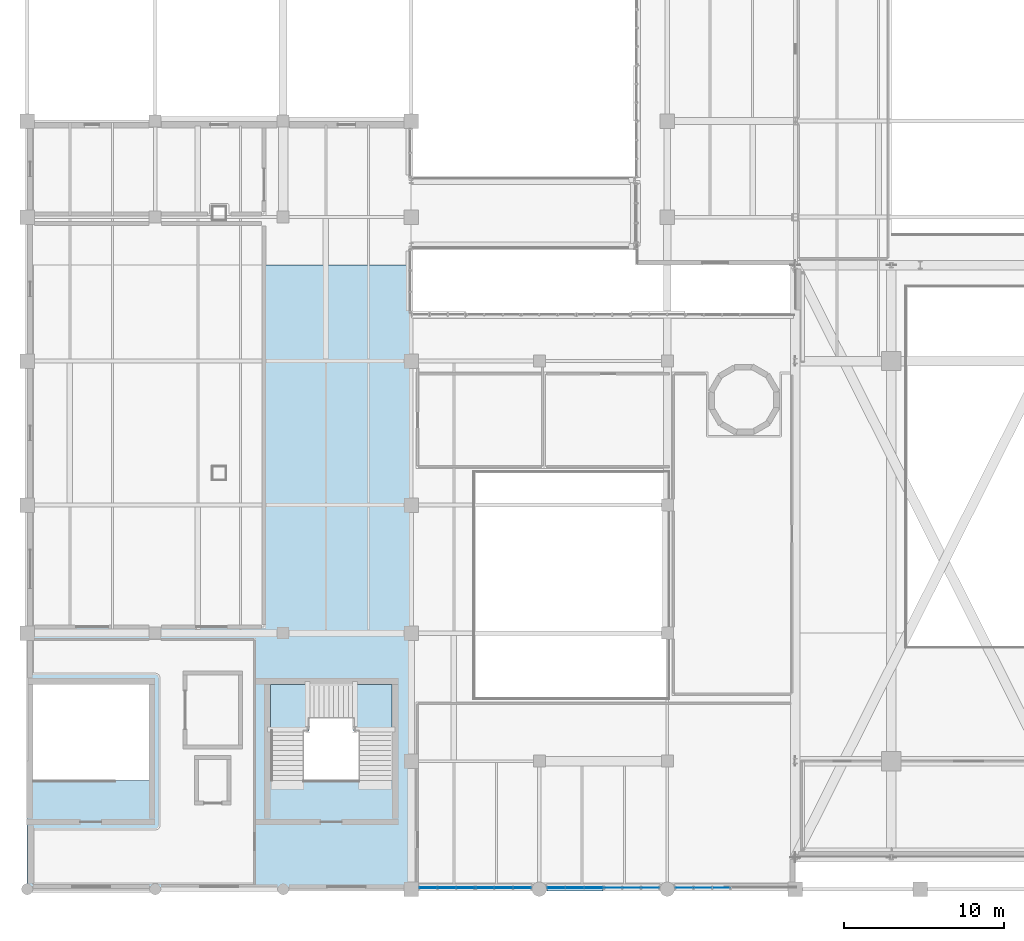
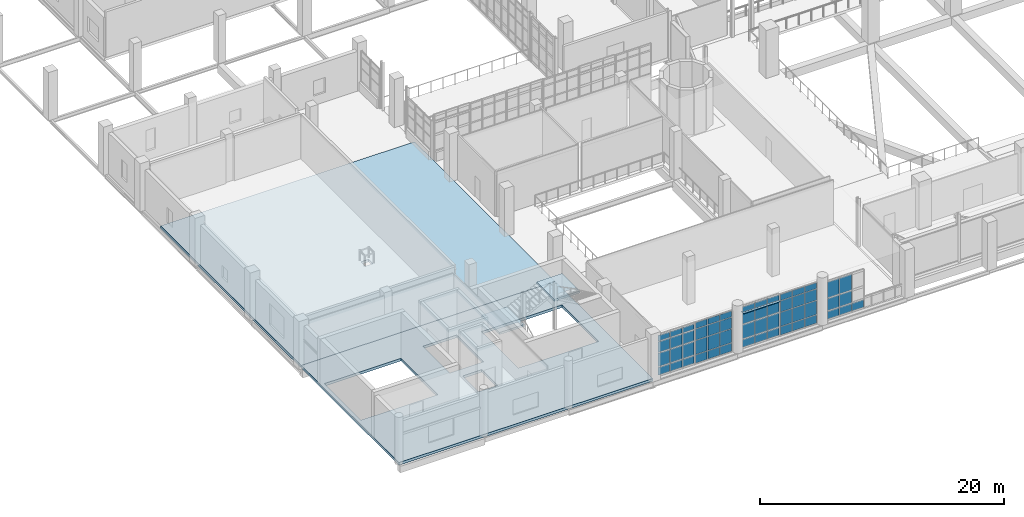
# One storey, part 60 of 100: 56 plates, 4 slabs, 6 elements without a shape of their own.
"""IFC4 building model written with IfcOpenShell, lengths in metres."""

import ifcopenshell
import ifcopenshell.guid

model = None  # the IFC model being written
_history = None  # IfcOwnerHistory: only IFC2X3 demands one
_inside = {}  # id of a spatial element -> (the spatial element, [elements in it])
_under = {}  # id of a project, library or spatial element -> (it, [spatial elements below it])
_declared = {}  # id of a project -> (the project, [libraries it declares])
_typed = {}  # id of a type object -> (the type object, [elements of that type])
_made_of = {}  # id of a material, layer set ... -> (it, [elements and type objects made of it])


def new_model(schema):
    """Start an empty IFC model of exactly this schema.

    Asked for "IFC4X3", IfcOpenShell would pick the latest addendum, in which some entities
    have other attributes; the version numbers below select the first issue.
    IFC2X3 requires an IfcOwnerHistory on every rooted entity: one is made here for all.
    """
    global model, _history
    if schema == "IFC4X3":
        model = ifcopenshell.file(schema_version=(4, 3, 0, 0))
    else:
        model = ifcopenshell.file(schema=schema)
    _inside.clear()
    _under.clear()
    _declared.clear()
    _typed.clear()
    _made_of.clear()
    _history = None
    if model.schema == "IFC2X3":
        org = make("IfcOrganization", Name="unknown")
        user = make(
            "IfcPersonAndOrganization",
            ThePerson=make("IfcPerson", FamilyName="unknown"),
            TheOrganization=org,
        )
        app = make(
            "IfcApplication",
            ApplicationDeveloper=org,
            Version="unknown",
            ApplicationFullName="unknown",
            ApplicationIdentifier="unknown",
        )
        _history = make(
            "IfcOwnerHistory",
            OwningUser=user,
            OwningApplication=app,
            ChangeAction="ADDED",
            CreationDate=0,
        )
    return model


def make(cls, **values):
    """One entity of the class cls with the attributes given. An attribute that is None is left unset."""
    return model.create_entity(
        cls, **{name: value for name, value in values.items() if value is not None}
    )


def rooted(cls, **values):
    """An entity with a GlobalId (a new one), such as an element, a storey or a relation."""
    return make(cls, GlobalId=ifcopenshell.guid.new(), OwnerHistory=_history, **values)


def si_unit(unit_type, name, prefix=None):
    """IfcSIUnit, for example si_unit("LENGTHUNIT", "METRE", prefix="MILLI")."""
    return make("IfcSIUnit", UnitType=unit_type, Prefix=prefix, Name=name)


def derived_unit(unit_type, elements):
    """IfcDerivedUnit: a product of units, each with its exponent."""
    return make(
        "IfcDerivedUnit",
        Elements=[
            make("IfcDerivedUnitElement", Unit=unit, Exponent=power)
            for unit, power in elements
        ],
        UnitType=unit_type,
    )


def assignment(units):
    """IfcUnitAssignment: the units of a project."""
    return None if units is None else make("IfcUnitAssignment", Units=units)


def point(xyz):
    """IfcCartesianPoint."""
    return None if xyz is None else make("IfcCartesianPoint", Coordinates=xyz)


def direction(xyz):
    """IfcDirection."""
    return None if xyz is None else make("IfcDirection", DirectionRatios=xyz)


def frame(location, z_axis=None, x_axis=None):
    """IfcAxis2Placement3D, a coordinate frame: its origin and axes. An axis left out is left unset."""
    return make(
        "IfcAxis2Placement3D",
        Location=point(location),
        Axis=direction(z_axis),
        RefDirection=direction(x_axis),
    )


def frame_2d(location, x_axis=None):
    """IfcAxis2Placement2D, a coordinate frame in the plane: its origin and x axis."""
    return make(
        "IfcAxis2Placement2D", Location=point(location), RefDirection=direction(x_axis)
    )


def origin():
    """The frame at (0, 0, 0) with its axes left unset."""
    return frame((0.0, 0.0, 0.0))


def origin_2d():
    """The frame at (0, 0) in the plane with its x axis left unset."""
    return frame_2d((0.0, 0.0))


def place(relative_to, where):
    """IfcLocalPlacement: puts the frame where relative to a parent placement (None: the world)."""
    return make(
        "IfcLocalPlacement", PlacementRelTo=relative_to, RelativePlacement=where
    )


def context(
    kind, dimensions, precision=None, world=None, true_north=None, identifier=None
):
    """IfcGeometricRepresentationContext, for example the 3D "Model" context."""
    return make(
        "IfcGeometricRepresentationContext",
        ContextIdentifier=identifier,
        ContextType=kind,
        CoordinateSpaceDimension=dimensions,
        Precision=precision,
        WorldCoordinateSystem=world,
        TrueNorth=true_north,
    )


def subcontext(parent, identifier, kind, view, scale=None):
    """IfcGeometricRepresentationSubContext, for example "Body" below "Model"."""
    return make(
        "IfcGeometricRepresentationSubContext",
        ContextIdentifier=identifier,
        ContextType=kind,
        ParentContext=parent,
        TargetScale=scale,
        TargetView=view,
    )


def project(units=None, contexts=None):
    """IfcProject with its units and contexts."""
    return rooted(
        "IfcProject",
        Name="project",
        RepresentationContexts=contexts,
        UnitsInContext=assignment(units),
    )


def spatial(cls, under=None, at=None, **own):
    """A site, building, storey or space (cls), placed at a placement, below another one or the project."""
    s = rooted(cls, ObjectPlacement=at, **own)
    if under is not None:
        _under.setdefault(under.id(), (under, []))[1].append(s)
    return s


def polyline(points):
    """IfcPolyline through the points."""
    return make("IfcPolyline", Points=[point(p) for p in points])


def profile(cls, at=None, kind="AREA", **sizes):
    """A parametric profile (cls). Its sizes go by their IFC names, for example OverallWidth=200.0."""
    return make(cls, ProfileType=kind, Position=at, **sizes)


def rectangle(**sizes):
    """IfcRectangleProfileDef."""
    return profile("IfcRectangleProfileDef", **sizes)


def outline(outer, holes=None, kind="AREA"):
    """IfcArbitraryClosedProfileDef: a profile drawn as a closed curve; with holes, ...WithVoids."""
    if holes is None:
        return make("IfcArbitraryClosedProfileDef", ProfileType=kind, OuterCurve=outer)
    return make(
        "IfcArbitraryProfileDefWithVoids",
        ProfileType=kind,
        OuterCurve=outer,
        InnerCurves=holes,
    )


def extrude(swept, where, along, depth):
    """IfcExtrudedAreaSolid: the profile swept, set in the frame where, extruded along a direction by depth."""
    return make(
        "IfcExtrudedAreaSolid",
        SweptArea=swept,
        Position=where,
        ExtrudedDirection=direction(along),
        Depth=depth,
    )


def shape(context_of_items, identifier, shape_type, items):
    """IfcShapeRepresentation: the items that make up one representation, for example the "Body"."""
    return make(
        "IfcShapeRepresentation",
        ContextOfItems=context_of_items,
        RepresentationIdentifier=identifier,
        RepresentationType=shape_type,
        Items=items,
    )


def material(Name=None, Category=None):
    """IfcMaterial."""
    return make("IfcMaterial", Name=Name, Category=Category)


def layer(
    of_material, thickness, ventilated=None, Name=None, Category=None, Priority=None
):
    """IfcMaterialLayer: one layer of a wall or slab, of a material (None: an air gap)."""
    return make(
        "IfcMaterialLayer",
        Material=of_material,
        LayerThickness=thickness,
        IsVentilated=ventilated,
        Name=Name,
        Category=Category,
        Priority=Priority,
    )


def layer_set(layers, Name=None):
    """IfcMaterialLayerSet."""
    return make("IfcMaterialLayerSet", MaterialLayers=layers, LayerSetName=Name)


def made_of(thing, what):
    """Note that an element or type object is made of a material, layer set ...; save() writes the relation."""
    if what is not None:
        _made_of.setdefault(what.id(), (what, []))[1].append(thing)
    return thing


def type_object(cls, material=None, **own):
    """A type object (cls), such as IfcWallType, which elements share."""
    return made_of(rooted(cls, **own), material)


def element(
    cls,
    number,
    at=None,
    inside=None,
    cuts=None,
    type_object=None,
    material=None,
    context=None,
    identifier="Body",
    shape_type=None,
    held_by="IfcProductDefinitionShape",
    body=None,
    shapes=None,
    **own,
):
    """One element of the class cls, such as IfcWall. Its Tag is "e" and its number.

    at: its placement. inside: the storey or other place that contains it. cuts: it is an
    opening in that element (IfcRelVoidsElement). A single representation is given by context,
    identifier, shape_type and body (its items); several are given by shapes. held_by: the class
    of the entity that holds the representations. save() writes the other relations.
    """
    e = rooted(cls, Tag="e%d" % number, ObjectPlacement=at, **own)
    if body is not None:
        shapes = [shape(context, identifier, shape_type, body)]
    if shapes is not None:
        e.Representation = make(held_by, Representations=shapes)
    if inside is not None:
        _inside.setdefault(inside.id(), (inside, []))[1].append(e)
    if cuts is not None:
        rooted(
            "IfcRelVoidsElement", RelatingBuildingElement=cuts, RelatedOpeningElement=e
        )
    if type_object is not None:
        _typed.setdefault(type_object.id(), (type_object, []))[1].append(e)
    return made_of(e, material)


def aggregate(whole, parts):
    """IfcRelAggregates: a whole, such as a stair, and the parts it consists of."""
    return rooted("IfcRelAggregates", RelatingObject=whole, RelatedObjects=parts)


def save(model, path):
    """Write the relations noted so far, then the file.

    IfcRelAggregates (storeys below a building ...), IfcRelContainedInSpatialStructure (elements
    in a storey), IfcRelDefinesByType, IfcRelAssociatesMaterial and IfcRelDeclares: one each for
    every whole, place, type object, material and project.
    """
    for whole, parts in _under.values():
        aggregate(whole, parts)
    for where, things in _inside.values():
        rooted(
            "IfcRelContainedInSpatialStructure",
            RelatedElements=things,
            RelatingStructure=where,
        )
    for kind, things in _typed.values():
        rooted("IfcRelDefinesByType", RelatedObjects=things, RelatingType=kind)
    for what, things in _made_of.values():
        rooted("IfcRelAssociatesMaterial", RelatedObjects=things, RelatingMaterial=what)
    for by, libraries in _declared.values():
        rooted("IfcRelDeclares", RelatingContext=by, RelatedDefinitions=libraries)
    model.write(path)


model = new_model("IFC4")

# Units and contexts
model_context = context("Model", 3, precision=1e-05, world=origin(), true_north=direction((0.0, 1.0)))
body_context = subcontext(model_context, "Body", "Model", "MODEL_VIEW")
ifc_project = project(units=[si_unit("LENGTHUNIT", "METRE"), si_unit("AREAUNIT", "SQUARE_METRE"), si_unit("VOLUMEUNIT", "CUBIC_METRE"), si_unit("PLANEANGLEUNIT", "RADIAN"), si_unit("MASSUNIT", "GRAM", prefix="KILO"), derived_unit("THERMALTRANSMITTANCEUNIT", [(si_unit("POWERUNIT", "WATT"), 1), (si_unit("LENGTHUNIT", "METRE"), -2), (si_unit("THERMODYNAMICTEMPERATUREUNIT", "KELVIN"), -1)])], contexts=[model_context])

# Site, building, storey
site_placement = place(None, origin())
site = spatial("IfcSite", under=ifc_project, at=site_placement, CompositionType="ELEMENT")
building_placement = place(site_placement, origin())
building = spatial("IfcBuilding", under=site, at=building_placement, Name="Nallur Shell Playhouse", CompositionType="ELEMENT")
storey_placement = place(building_placement, frame((0.0, 0.0, 10.199951171875)))
storey = spatial("IfcBuildingStorey", under=building, at=storey_placement, Name="L03", CompositionType="ELEMENT", Elevation=10.199951171875)

# Curtain wall, plates
ifc_material_1 = material(Name="Anodised Aluminium Double-Glazed Facade System", Category="aluminium")
ifc_layer_1 = layer(ifc_material_1, 0.16796875)
ifc_layer_set_1 = layer_set([ifc_layer_1], Name="Anodised Aluminium Double-Glazed Facade System")
curtain_wall_type_1 = type_object("IfcCurtainWallType", Name="CW-UNIT-02", PredefinedType="NOTDEFINED", material=ifc_layer_set_1)
curtain_wall_1_placement = place(storey_placement, origin())
curtain_wall_1 = element("IfcCurtainWall", 1, at=curtain_wall_1_placement, inside=storey, type_object=curtain_wall_type_1, Name="Unitised curtain wall CW-098 (L03)", PredefinedType="NOTDEFINED")
ifc_material_2 = material(Name="Solar-Control Low-E Laminated Insulating Glass", Category="glass")
ifc_layer_2 = layer(ifc_material_2, 0.028076171875)
ifc_layer_set_2 = layer_set([ifc_layer_2], Name="Solar-Control Low-E Laminated Insulating Glass")
plate_type_1 = type_object("IfcPlateType", Name="PT-GLZ-02", PredefinedType="CURTAIN_PANEL", material=ifc_layer_set_2)
plate_1_placement = place(storey_placement, frame((59.385498046875, 8.090087890625, 0.092041015625), z_axis=(0.0, 0.0, 1.0), x_axis=(-1.0, 0.0, 0.0)))
plate_1 = element("IfcPlate", 2, at=plate_1_placement, type_object=plate_type_1, Name="CW-02 panel 1.1", PredefinedType="CURTAIN_PANEL", context=body_context, shape_type="SweptSolid", body=[
    extrude(rectangle(XDim=1.074951171875, YDim=0.028076171875, at=origin_2d()), origin(), (0.0, 0.0, 1.0), 0.76611328125),
])
plate_2_placement = place(storey_placement, frame((58.2265625, 8.090087890625, 0.092041015625), z_axis=(0.0, 0.0, 1.0), x_axis=(-1.0, 0.0, 0.0)))
plate_2 = element("IfcPlate", 3, at=plate_2_placement, type_object=plate_type_1, Name="CW-02 panel 2.1", PredefinedType="CURTAIN_PANEL", context=body_context, shape_type="SweptSolid", body=[
    extrude(rectangle(XDim=1.114990234375, YDim=0.028076171875, at=origin_2d()), origin(), (0.0, 0.0, 1.0), 0.76611328125),
])
plate_3_placement = place(storey_placement, frame((58.2265625, 8.090087890625, 0.942138671875), z_axis=(0.0, 0.0, 1.0), x_axis=(-1.0, 0.0, 0.0)))
plate_3 = element("IfcPlate", 4, at=plate_3_placement, type_object=plate_type_1, Name="CW-02 panel 2.2", PredefinedType="CURTAIN_PANEL", context=body_context, shape_type="SweptSolid", body=[
    extrude(rectangle(XDim=1.114990234375, YDim=0.028076171875, at=origin_2d()), origin(), (0.0, 0.0, 1.0), 1.19189453125),
])
plate_4_placement = place(storey_placement, frame((58.2265625, 8.090087890625, 2.21826171875), z_axis=(0.0, 0.0, 1.0), x_axis=(-1.0, 0.0, 0.0)))
plate_4 = element("IfcPlate", 5, at=plate_4_placement, type_object=plate_type_1, Name="CW-02 panel 2.3", PredefinedType="CURTAIN_PANEL", context=body_context, shape_type="SweptSolid", body=[
    extrude(rectangle(XDim=1.114990234375, YDim=0.028076171875, at=origin_2d()), origin(), (0.0, 0.0, 1.0), 1.574951171875),
])
plate_5_placement = place(storey_placement, frame((57.0673828125, 8.090087890625, 0.092041015625), z_axis=(0.0, 0.0, 1.0), x_axis=(-1.0, 0.0, 0.0)))
plate_5 = element("IfcPlate", 6, at=plate_5_placement, type_object=plate_type_1, Name="CW-02 panel 3.1", PredefinedType="CURTAIN_PANEL", context=body_context, shape_type="SweptSolid", body=[
    extrude(rectangle(XDim=1.074951171875, YDim=0.028076171875, at=origin_2d()), origin(), (0.0, 0.0, 1.0), 0.76611328125),
])
plate_6_placement = place(storey_placement, frame((57.0673828125, 8.090087890625, 0.942138671875), z_axis=(0.0, 0.0, 1.0), x_axis=(-1.0, 0.0, 0.0)))
plate_6 = element("IfcPlate", 7, at=plate_6_placement, type_object=plate_type_1, Name="CW-02 panel 3.2", PredefinedType="CURTAIN_PANEL", context=body_context, shape_type="SweptSolid", body=[
    extrude(rectangle(XDim=1.074951171875, YDim=0.028076171875, at=origin_2d()), origin(), (0.0, 0.0, 1.0), 1.19189453125),
])
plate_7_placement = place(storey_placement, frame((57.0673828125, 8.090087890625, 2.21826171875), z_axis=(0.0, 0.0, 1.0), x_axis=(-1.0, 0.0, 0.0)))
plate_7 = element("IfcPlate", 8, at=plate_7_placement, type_object=plate_type_1, Name="CW-02 panel 3.3", PredefinedType="CURTAIN_PANEL", context=body_context, shape_type="SweptSolid", body=[
    extrude(rectangle(XDim=1.074951171875, YDim=0.028076171875, at=origin_2d()), origin(), (0.0, 0.0, 1.0), 1.574951171875),
])
aggregate(curtain_wall_1, [plate_1, plate_2, plate_3, plate_4, plate_5, plate_6, plate_7])

ifc_layer_3 = layer(ifc_material_1, 0.172119140625)
ifc_layer_set_3 = layer_set([ifc_layer_3], Name="Anodised Aluminium Double-Glazed Facade System")
curtain_wall_type_2 = type_object("IfcCurtainWallType", Name="CW-UNIT-03", PredefinedType="NOTDEFINED", material=ifc_layer_set_3)
curtain_wall_2_placement = place(storey_placement, origin())
curtain_wall_2 = element("IfcCurtainWall", 9, at=curtain_wall_2_placement, inside=storey, type_object=curtain_wall_type_2, Name="Unitised curtain wall CW-099 (L03)", PredefinedType="NOTDEFINED")
ifc_layer_4 = layer(ifc_material_2, 0.030029296875)
ifc_layer_set_4 = layer_set([ifc_layer_4], Name="Solar-Control Low-E Laminated Insulating Glass")
plate_type_2 = type_object("IfcPlateType", Name="PT-GLZ-03", PredefinedType="CURTAIN_PANEL", material=ifc_layer_set_4)
plate_8_placement = place(storey_placement, frame((54.933837890625, 8.090087890625, 0.05712890625), z_axis=(0.0, 0.0, 1.0), x_axis=(-1.0, 0.0, 0.0)))
plate_8 = element("IfcPlate", 10, at=plate_8_placement, type_object=plate_type_2, Name="CW-03 panel 1.1", PredefinedType="CURTAIN_PANEL", context=body_context, shape_type="SweptSolid", body=[
    extrude(rectangle(XDim=1.08251953125, YDim=0.030029296875, at=origin_2d()), origin(), (0.0, 0.0, 1.0), 0.818603515625),
])
plate_9_placement = place(storey_placement, frame((54.933837890625, 8.090087890625, 0.92431640625), z_axis=(0.0, 0.0, 1.0), x_axis=(-1.0, 0.0, 0.0)))
plate_9 = element("IfcPlate", 11, at=plate_9_placement, type_object=plate_type_2, Name="CW-03 panel 1.2", PredefinedType="CURTAIN_PANEL", context=body_context, shape_type="SweptSolid", body=[
    extrude(rectangle(XDim=1.08251953125, YDim=0.030029296875, at=origin_2d()), origin(), (0.0, 0.0, 1.0), 1.383056640625),
])
plate_10_placement = place(storey_placement, frame((54.933837890625, 8.090087890625, 2.3564453125), z_axis=(0.0, 0.0, 1.0), x_axis=(-1.0, 0.0, 0.0)))
plate_10 = element("IfcPlate", 12, at=plate_10_placement, type_object=plate_type_2, Name="CW-03 panel 1.3", PredefinedType="CURTAIN_PANEL", context=body_context, shape_type="SweptSolid", body=[
    extrude(rectangle(XDim=1.08251953125, YDim=0.030029296875, at=origin_2d()), origin(), (0.0, 0.0, 1.0), 1.10400390625),
])
plate_11_placement = place(storey_placement, frame((54.933837890625, 8.090087890625, 3.509765625), z_axis=(0.0, 0.0, 1.0), x_axis=(-1.0, 0.0, 0.0)))
plate_11 = element("IfcPlate", 13, at=plate_11_placement, type_object=plate_type_2, Name="CW-03 panel 1.4", PredefinedType="CURTAIN_PANEL", context=body_context, shape_type="SweptSolid", body=[
    extrude(rectangle(XDim=1.08251953125, YDim=0.030029296875, at=origin_2d()), origin(), (0.0, 0.0, 1.0), 0.598388671875),
])
plate_12_placement = place(storey_placement, frame((53.7734375, 8.090087890625, 0.05712890625), z_axis=(0.0, 0.0, 1.0), x_axis=(-1.0, 0.0, 0.0)))
plate_12 = element("IfcPlate", 14, at=plate_12_placement, type_object=plate_type_2, Name="CW-03 panel 2.1", PredefinedType="CURTAIN_PANEL", context=body_context, shape_type="SweptSolid", body=[
    extrude(rectangle(XDim=1.1201171875, YDim=0.030029296875, at=origin_2d()), origin(), (0.0, 0.0, 1.0), 0.818603515625),
])
plate_13_placement = place(storey_placement, frame((53.7734375, 8.090087890625, 0.92431640625), z_axis=(0.0, 0.0, 1.0), x_axis=(-1.0, 0.0, 0.0)))
plate_13 = element("IfcPlate", 15, at=plate_13_placement, type_object=plate_type_2, Name="CW-03 panel 2.2", PredefinedType="CURTAIN_PANEL", context=body_context, shape_type="SweptSolid", body=[
    extrude(rectangle(XDim=1.1201171875, YDim=0.030029296875, at=origin_2d()), origin(), (0.0, 0.0, 1.0), 1.383056640625),
])
plate_14_placement = place(storey_placement, frame((53.7734375, 8.090087890625, 2.3564453125), z_axis=(0.0, 0.0, 1.0), x_axis=(-1.0, 0.0, 0.0)))
plate_14 = element("IfcPlate", 16, at=plate_14_placement, type_object=plate_type_2, Name="CW-03 panel 2.3", PredefinedType="CURTAIN_PANEL", context=body_context, shape_type="SweptSolid", body=[
    extrude(rectangle(XDim=1.1201171875, YDim=0.030029296875, at=origin_2d()), origin(), (0.0, 0.0, 1.0), 1.10400390625),
])
plate_15_placement = place(storey_placement, frame((53.7734375, 8.090087890625, 3.509765625), z_axis=(0.0, 0.0, 1.0), x_axis=(-1.0, 0.0, 0.0)))
plate_15 = element("IfcPlate", 17, at=plate_15_placement, type_object=plate_type_2, Name="CW-03 panel 2.4", PredefinedType="CURTAIN_PANEL", context=body_context, shape_type="SweptSolid", body=[
    extrude(rectangle(XDim=1.1201171875, YDim=0.030029296875, at=origin_2d()), origin(), (0.0, 0.0, 1.0), 0.598388671875),
])
plate_16_placement = place(storey_placement, frame((52.61328125, 8.090087890625, 0.05712890625), z_axis=(0.0, 0.0, 1.0), x_axis=(-1.0, 0.0, 0.0)))
plate_16 = element("IfcPlate", 18, at=plate_16_placement, type_object=plate_type_2, Name="CW-03 panel 3.1", PredefinedType="CURTAIN_PANEL", context=body_context, shape_type="SweptSolid", body=[
    extrude(rectangle(XDim=1.08251953125, YDim=0.030029296875, at=origin_2d()), origin(), (0.0, 0.0, 1.0), 0.818603515625),
])
plate_17_placement = place(storey_placement, frame((52.61328125, 8.090087890625, 0.92431640625), z_axis=(0.0, 0.0, 1.0), x_axis=(-1.0, 0.0, 0.0)))
plate_17 = element("IfcPlate", 19, at=plate_17_placement, type_object=plate_type_2, Name="CW-03 panel 3.2", PredefinedType="CURTAIN_PANEL", context=body_context, shape_type="SweptSolid", body=[
    extrude(rectangle(XDim=1.08251953125, YDim=0.030029296875, at=origin_2d()), origin(), (0.0, 0.0, 1.0), 1.383056640625),
])
plate_18_placement = place(storey_placement, frame((52.61328125, 8.090087890625, 2.3564453125), z_axis=(0.0, 0.0, 1.0), x_axis=(-1.0, 0.0, 0.0)))
plate_18 = element("IfcPlate", 20, at=plate_18_placement, type_object=plate_type_2, Name="CW-03 panel 3.3", PredefinedType="CURTAIN_PANEL", context=body_context, shape_type="SweptSolid", body=[
    extrude(rectangle(XDim=1.08251953125, YDim=0.030029296875, at=origin_2d()), origin(), (0.0, 0.0, 1.0), 1.10400390625),
])
plate_19_placement = place(storey_placement, frame((52.61328125, 8.090087890625, 3.509765625), z_axis=(0.0, 0.0, 1.0), x_axis=(-1.0, 0.0, 0.0)))
plate_19 = element("IfcPlate", 21, at=plate_19_placement, type_object=plate_type_2, Name="CW-03 panel 3.4", PredefinedType="CURTAIN_PANEL", context=body_context, shape_type="SweptSolid", body=[
    extrude(rectangle(XDim=1.08251953125, YDim=0.030029296875, at=origin_2d()), origin(), (0.0, 0.0, 1.0), 0.598388671875),
])
aggregate(curtain_wall_2, [plate_8, plate_9, plate_10, plate_11, plate_12, plate_13, plate_14, plate_15, plate_16, plate_17, plate_18, plate_19])

ifc_layer_5 = layer(ifc_material_1, 0.176025390625)
ifc_layer_set_5 = layer_set([ifc_layer_5], Name="Anodised Aluminium Double-Glazed Facade System")
curtain_wall_type_3 = type_object("IfcCurtainWallType", Name="CW-UNIT-04", PredefinedType="NOTDEFINED", material=ifc_layer_set_5)
curtain_wall_3_placement = place(storey_placement, origin())
curtain_wall_3 = element("IfcCurtainWall", 22, at=curtain_wall_3_placement, inside=storey, type_object=curtain_wall_type_3, Name="Unitised curtain wall CW-100 (L03)", PredefinedType="NOTDEFINED")
ifc_layer_6 = layer(ifc_material_2, 0.031982421875)
ifc_layer_set_6 = layer_set([ifc_layer_6], Name="Solar-Control Low-E Laminated Insulating Glass")
plate_type_3 = type_object("IfcPlateType", Name="PT-GLZ-04", PredefinedType="CURTAIN_PANEL", material=ifc_layer_set_6)
plate_20_placement = place(storey_placement, frame((51.38916015625, 8.090087890625, 0.092041015625), z_axis=(0.0, 0.0, 1.0), x_axis=(-1.0, 0.0, 0.0)))
plate_20 = element("IfcPlate", 23, at=plate_20_placement, type_object=plate_type_3, Name="CW-04 panel 1.1", PredefinedType="CURTAIN_PANEL", context=body_context, shape_type="SweptSolid", body=[
    extrude(rectangle(XDim=1.097412109375, YDim=0.031982421875, at=origin_2d()), origin(), (0.0, 0.0, 1.0), 0.76611328125),
])
plate_21_placement = place(storey_placement, frame((51.38916015625, 8.090087890625, 0.94189453125), z_axis=(0.0, 0.0, 1.0), x_axis=(-1.0, 0.0, 0.0)))
plate_21 = element("IfcPlate", 24, at=plate_21_placement, type_object=plate_type_3, Name="CW-04 panel 1.2", PredefinedType="CURTAIN_PANEL", context=body_context, shape_type="SweptSolid", body=[
    extrude(rectangle(XDim=1.097412109375, YDim=0.031982421875, at=origin_2d()), origin(), (0.0, 0.0, 1.0), 1.382080078125),
])
plate_22_placement = place(storey_placement, frame((51.38916015625, 8.090087890625, 2.408203125), z_axis=(0.0, 0.0, 1.0), x_axis=(-1.0, 0.0, 0.0)))
plate_22 = element("IfcPlate", 25, at=plate_22_placement, type_object=plate_type_3, Name="CW-04 panel 1.3", PredefinedType="CURTAIN_PANEL", context=body_context, shape_type="SweptSolid", body=[
    extrude(rectangle(XDim=1.097412109375, YDim=0.031982421875, at=origin_2d()), origin(), (0.0, 0.0, 1.0), 1.094970703125),
])
plate_23_placement = place(storey_placement, frame((51.38916015625, 8.090087890625, 3.587158203125), z_axis=(0.0, 0.0, 1.0), x_axis=(-1.0, 0.0, 0.0)))
plate_23 = element("IfcPlate", 26, at=plate_23_placement, type_object=plate_type_3, Name="CW-04 panel 1.4", PredefinedType="CURTAIN_PANEL", context=body_context, shape_type="SweptSolid", body=[
    extrude(rectangle(XDim=1.097412109375, YDim=0.031982421875, at=origin_2d()), origin(), (0.0, 0.0, 1.0), 0.5458984375),
])
plate_24_placement = place(storey_placement, frame((50.2265625, 8.090087890625, 0.092041015625), z_axis=(0.0, 0.0, 1.0), x_axis=(-1.0, 0.0, 0.0)))
plate_24 = element("IfcPlate", 27, at=plate_24_placement, type_object=plate_type_3, Name="CW-04 panel 2.1", PredefinedType="CURTAIN_PANEL", context=body_context, shape_type="SweptSolid", body=[
    extrude(rectangle(XDim=1.1298828125, YDim=0.031982421875, at=origin_2d()), origin(), (0.0, 0.0, 1.0), 0.76611328125),
])
plate_25_placement = place(storey_placement, frame((50.2265625, 8.090087890625, 0.94189453125), z_axis=(0.0, 0.0, 1.0), x_axis=(-1.0, 0.0, 0.0)))
plate_25 = element("IfcPlate", 28, at=plate_25_placement, type_object=plate_type_3, Name="CW-04 panel 2.2", PredefinedType="CURTAIN_PANEL", context=body_context, shape_type="SweptSolid", body=[
    extrude(rectangle(XDim=1.1298828125, YDim=0.031982421875, at=origin_2d()), origin(), (0.0, 0.0, 1.0), 1.382080078125),
])
plate_26_placement = place(storey_placement, frame((50.2265625, 8.090087890625, 2.408203125), z_axis=(0.0, 0.0, 1.0), x_axis=(-1.0, 0.0, 0.0)))
plate_26 = element("IfcPlate", 29, at=plate_26_placement, type_object=plate_type_3, Name="CW-04 panel 2.3", PredefinedType="CURTAIN_PANEL", context=body_context, shape_type="SweptSolid", body=[
    extrude(rectangle(XDim=1.1298828125, YDim=0.031982421875, at=origin_2d()), origin(), (0.0, 0.0, 1.0), 1.094970703125),
])
plate_27_placement = place(storey_placement, frame((50.2265625, 8.090087890625, 3.587158203125), z_axis=(0.0, 0.0, 1.0), x_axis=(-1.0, 0.0, 0.0)))
plate_27 = element("IfcPlate", 30, at=plate_27_placement, type_object=plate_type_3, Name="CW-04 panel 2.4", PredefinedType="CURTAIN_PANEL", context=body_context, shape_type="SweptSolid", body=[
    extrude(rectangle(XDim=1.1298828125, YDim=0.031982421875, at=origin_2d()), origin(), (0.0, 0.0, 1.0), 0.5458984375),
])
plate_28_placement = place(storey_placement, frame((49.063720703125, 8.090087890625, 0.092041015625), z_axis=(0.0, 0.0, 1.0), x_axis=(-1.0, 0.0, 0.0)))
plate_28 = element("IfcPlate", 31, at=plate_28_placement, type_object=plate_type_3, Name="CW-04 panel 3.1", PredefinedType="CURTAIN_PANEL", context=body_context, shape_type="SweptSolid", body=[
    extrude(rectangle(XDim=1.097412109375, YDim=0.031982421875, at=origin_2d()), origin(), (0.0, 0.0, 1.0), 0.76611328125),
])
plate_29_placement = place(storey_placement, frame((49.063720703125, 8.090087890625, 0.94189453125), z_axis=(0.0, 0.0, 1.0), x_axis=(-1.0, 0.0, 0.0)))
plate_29 = element("IfcPlate", 32, at=plate_29_placement, type_object=plate_type_3, Name="CW-04 panel 3.2", PredefinedType="CURTAIN_PANEL", context=body_context, shape_type="SweptSolid", body=[
    extrude(rectangle(XDim=1.097412109375, YDim=0.031982421875, at=origin_2d()), origin(), (0.0, 0.0, 1.0), 1.382080078125),
])
plate_30_placement = place(storey_placement, frame((49.063720703125, 8.090087890625, 2.408203125), z_axis=(0.0, 0.0, 1.0), x_axis=(-1.0, 0.0, 0.0)))
plate_30 = element("IfcPlate", 33, at=plate_30_placement, type_object=plate_type_3, Name="CW-04 panel 3.3", PredefinedType="CURTAIN_PANEL", context=body_context, shape_type="SweptSolid", body=[
    extrude(rectangle(XDim=1.097412109375, YDim=0.031982421875, at=origin_2d()), origin(), (0.0, 0.0, 1.0), 1.094970703125),
])
plate_31_placement = place(storey_placement, frame((49.063720703125, 8.090087890625, 3.587158203125), z_axis=(0.0, 0.0, 1.0), x_axis=(-1.0, 0.0, 0.0)))
plate_31 = element("IfcPlate", 34, at=plate_31_placement, type_object=plate_type_3, Name="CW-04 panel 3.4", PredefinedType="CURTAIN_PANEL", context=body_context, shape_type="SweptSolid", body=[
    extrude(rectangle(XDim=1.097412109375, YDim=0.031982421875, at=origin_2d()), origin(), (0.0, 0.0, 1.0), 0.5458984375),
])
aggregate(curtain_wall_3, [plate_20, plate_21, plate_22, plate_23, plate_24, plate_25, plate_26, plate_27, plate_28, plate_29, plate_30, plate_31])

ifc_layer_7 = layer(ifc_material_1, 0.179931640625)
ifc_layer_set_7 = layer_set([ifc_layer_7], Name="Anodised Aluminium Double-Glazed Facade System")
curtain_wall_type_4 = type_object("IfcCurtainWallType", Name="CW-UNIT-05", PredefinedType="NOTDEFINED", material=ifc_layer_set_7)
curtain_wall_4_placement = place(storey_placement, origin())
curtain_wall_4 = element("IfcCurtainWall", 35, at=curtain_wall_4_placement, inside=storey, type_object=curtain_wall_type_4, Name="Unitised curtain wall CW-101 (L03)", PredefinedType="NOTDEFINED")
ifc_layer_8 = layer(ifc_material_2, 0.033935546875)
ifc_layer_set_8 = layer_set([ifc_layer_8], Name="Solar-Control Low-E Laminated Insulating Glass")
plate_type_4 = type_object("IfcPlateType", Name="PT-GLZ-05", PredefinedType="CURTAIN_PANEL", material=ifc_layer_set_8)
plate_32_placement = place(storey_placement, frame((46.9326171875, 8.090087890625, 0.05712890625), z_axis=(0.0, 0.0, 1.0), x_axis=(-1.0, 0.0, 0.0)))
plate_32 = element("IfcPlate", 36, at=plate_32_placement, type_object=plate_type_4, Name="CW-05 panel 1.1", PredefinedType="CURTAIN_PANEL", context=body_context, shape_type="SweptSolid", body=[
    extrude(rectangle(XDim=1.074951171875, YDim=0.033935546875, at=origin_2d()), origin(), (0.0, 0.0, 1.0), 0.818603515625),
])
plate_33_placement = place(storey_placement, frame((46.9326171875, 8.090087890625, 0.924560546875), z_axis=(0.0, 0.0, 1.0), x_axis=(-1.0, 0.0, 0.0)))
plate_33 = element("IfcPlate", 37, at=plate_33_placement, type_object=plate_type_4, Name="CW-05 panel 1.2", PredefinedType="CURTAIN_PANEL", context=body_context, shape_type="SweptSolid", body=[
    extrude(rectangle(XDim=1.074951171875, YDim=0.033935546875, at=origin_2d()), origin(), (0.0, 0.0, 1.0), 1.3779296875),
])
plate_34_placement = place(storey_placement, frame((46.9326171875, 8.090087890625, 2.3515625), z_axis=(0.0, 0.0, 1.0), x_axis=(-1.0, 0.0, 0.0)))
plate_34 = element("IfcPlate", 38, at=plate_34_placement, type_object=plate_type_4, Name="CW-05 panel 1.3", PredefinedType="CURTAIN_PANEL", context=body_context, shape_type="SweptSolid", body=[
    extrude(rectangle(XDim=1.074951171875, YDim=0.033935546875, at=origin_2d()), origin(), (0.0, 0.0, 1.0), 1.09912109375),
])
plate_35_placement = place(storey_placement, frame((46.9326171875, 8.090087890625, 3.49951171875), z_axis=(0.0, 0.0, 1.0), x_axis=(-1.0, 0.0, 0.0)))
plate_35 = element("IfcPlate", 39, at=plate_35_placement, type_object=plate_type_4, Name="CW-05 panel 1.4", PredefinedType="CURTAIN_PANEL", context=body_context, shape_type="SweptSolid", body=[
    extrude(rectangle(XDim=1.074951171875, YDim=0.033935546875, at=origin_2d()), origin(), (0.0, 0.0, 1.0), 0.598388671875),
])
plate_36_placement = place(storey_placement, frame((45.7734375, 8.090087890625, 0.05712890625), z_axis=(0.0, 0.0, 1.0), x_axis=(-1.0, 0.0, 0.0)))
plate_36 = element("IfcPlate", 40, at=plate_36_placement, type_object=plate_type_4, Name="CW-05 panel 2.1", PredefinedType="CURTAIN_PANEL", context=body_context, shape_type="SweptSolid", body=[
    extrude(rectangle(XDim=1.114990234375, YDim=0.033935546875, at=origin_2d()), origin(), (0.0, 0.0, 1.0), 0.818603515625),
])
plate_37_placement = place(storey_placement, frame((45.7734375, 8.090087890625, 0.924560546875), z_axis=(0.0, 0.0, 1.0), x_axis=(-1.0, 0.0, 0.0)))
plate_37 = element("IfcPlate", 41, at=plate_37_placement, type_object=plate_type_4, Name="CW-05 panel 2.2", PredefinedType="CURTAIN_PANEL", context=body_context, shape_type="SweptSolid", body=[
    extrude(rectangle(XDim=1.114990234375, YDim=0.033935546875, at=origin_2d()), origin(), (0.0, 0.0, 1.0), 1.3779296875),
])
plate_38_placement = place(storey_placement, frame((45.7734375, 8.090087890625, 2.3515625), z_axis=(0.0, 0.0, 1.0), x_axis=(-1.0, 0.0, 0.0)))
plate_38 = element("IfcPlate", 42, at=plate_38_placement, type_object=plate_type_4, Name="CW-05 panel 2.3", PredefinedType="CURTAIN_PANEL", context=body_context, shape_type="SweptSolid", body=[
    extrude(rectangle(XDim=1.114990234375, YDim=0.033935546875, at=origin_2d()), origin(), (0.0, 0.0, 1.0), 1.09912109375),
])
plate_39_placement = place(storey_placement, frame((45.7734375, 8.090087890625, 3.49951171875), z_axis=(0.0, 0.0, 1.0), x_axis=(-1.0, 0.0, 0.0)))
plate_39 = element("IfcPlate", 43, at=plate_39_placement, type_object=plate_type_4, Name="CW-05 panel 2.4", PredefinedType="CURTAIN_PANEL", context=body_context, shape_type="SweptSolid", body=[
    extrude(rectangle(XDim=1.114990234375, YDim=0.033935546875, at=origin_2d()), origin(), (0.0, 0.0, 1.0), 0.598388671875),
])
plate_40_placement = place(storey_placement, frame((44.614501953125, 8.090087890625, 0.05712890625), z_axis=(0.0, 0.0, 1.0), x_axis=(-1.0, 0.0, 0.0)))
plate_40 = element("IfcPlate", 44, at=plate_40_placement, type_object=plate_type_4, Name="CW-05 panel 3.1", PredefinedType="CURTAIN_PANEL", context=body_context, shape_type="SweptSolid", body=[
    extrude(rectangle(XDim=1.074951171875, YDim=0.033935546875, at=origin_2d()), origin(), (0.0, 0.0, 1.0), 0.818603515625),
])
plate_41_placement = place(storey_placement, frame((44.614501953125, 8.090087890625, 0.924560546875), z_axis=(0.0, 0.0, 1.0), x_axis=(-1.0, 0.0, 0.0)))
plate_41 = element("IfcPlate", 45, at=plate_41_placement, type_object=plate_type_4, Name="CW-05 panel 3.2", PredefinedType="CURTAIN_PANEL", context=body_context, shape_type="SweptSolid", body=[
    extrude(rectangle(XDim=1.074951171875, YDim=0.033935546875, at=origin_2d()), origin(), (0.0, 0.0, 1.0), 1.3779296875),
])
plate_42_placement = place(storey_placement, frame((44.614501953125, 8.090087890625, 2.3515625), z_axis=(0.0, 0.0, 1.0), x_axis=(-1.0, 0.0, 0.0)))
plate_42 = element("IfcPlate", 46, at=plate_42_placement, type_object=plate_type_4, Name="CW-05 panel 3.3", PredefinedType="CURTAIN_PANEL", context=body_context, shape_type="SweptSolid", body=[
    extrude(rectangle(XDim=1.074951171875, YDim=0.033935546875, at=origin_2d()), origin(), (0.0, 0.0, 1.0), 1.09912109375),
])
plate_43_placement = place(storey_placement, frame((44.614501953125, 8.090087890625, 3.49951171875), z_axis=(0.0, 0.0, 1.0), x_axis=(-1.0, 0.0, 0.0)))
plate_43 = element("IfcPlate", 47, at=plate_43_placement, type_object=plate_type_4, Name="CW-05 panel 3.4", PredefinedType="CURTAIN_PANEL", context=body_context, shape_type="SweptSolid", body=[
    extrude(rectangle(XDim=1.074951171875, YDim=0.033935546875, at=origin_2d()), origin(), (0.0, 0.0, 1.0), 0.598388671875),
])
aggregate(curtain_wall_4, [plate_32, plate_33, plate_34, plate_35, plate_36, plate_37, plate_38, plate_39, plate_40, plate_41, plate_42, plate_43])

ifc_layer_9 = layer(ifc_material_1, 0.159912109375)
ifc_layer_set_9 = layer_set([ifc_layer_9], Name="Anodised Aluminium Double-Glazed Facade System")
curtain_wall_type_5 = type_object("IfcCurtainWallType", Name="CW-UNIT-06", PredefinedType="NOTDEFINED", material=ifc_layer_set_9)
curtain_wall_5_placement = place(storey_placement, origin())
curtain_wall_5 = element("IfcCurtainWall", 48, at=curtain_wall_5_placement, inside=storey, type_object=curtain_wall_type_5, Name="Unitised curtain wall CW-102 (L03)", PredefinedType="NOTDEFINED")
ifc_layer_10 = layer(ifc_material_2, 0.035888671875)
ifc_layer_set_10 = layer_set([ifc_layer_10], Name="Solar-Control Low-E Laminated Insulating Glass")
plate_type_5 = type_object("IfcPlateType", Name="PT-GLZ-06", PredefinedType="CURTAIN_PANEL", material=ifc_layer_set_10)
plate_44_placement = place(storey_placement, frame((43.38671875, 8.090087890625, 0.092041015625), z_axis=(0.0, 0.0, 1.0), x_axis=(-1.0, 0.0, 0.0)))
plate_44 = element("IfcPlate", 49, at=plate_44_placement, type_object=plate_type_5, Name="CW-06 panel 1.1", PredefinedType="CURTAIN_PANEL", context=body_context, shape_type="SweptSolid", body=[
    extrude(rectangle(XDim=1.08251953125, YDim=0.035888671875, at=origin_2d()), origin(), (0.0, 0.0, 1.0), 0.76611328125),
])
plate_45_placement = place(storey_placement, frame((43.38671875, 8.090087890625, 0.942138671875), z_axis=(0.0, 0.0, 1.0), x_axis=(-1.0, 0.0, 0.0)))
plate_45 = element("IfcPlate", 50, at=plate_45_placement, type_object=plate_type_5, Name="CW-06 panel 1.2", PredefinedType="CURTAIN_PANEL", context=body_context, shape_type="SweptSolid", body=[
    extrude(rectangle(XDim=1.08251953125, YDim=0.035888671875, at=origin_2d()), origin(), (0.0, 0.0, 1.0), 1.33203125),
])
plate_46_placement = place(storey_placement, frame((43.38671875, 8.090087890625, 2.35791015625), z_axis=(0.0, 0.0, 1.0), x_axis=(-1.0, 0.0, 0.0)))
plate_46 = element("IfcPlate", 51, at=plate_46_placement, type_object=plate_type_5, Name="CW-06 panel 1.3", PredefinedType="CURTAIN_PANEL", context=body_context, shape_type="SweptSolid", body=[
    extrude(rectangle(XDim=1.08251953125, YDim=0.035888671875, at=origin_2d()), origin(), (0.0, 0.0, 1.0), 1.054931640625),
])
plate_47_placement = place(storey_placement, frame((43.38671875, 8.090087890625, 3.4970703125), z_axis=(0.0, 0.0, 1.0), x_axis=(-1.0, 0.0, 0.0)))
plate_47 = element("IfcPlate", 52, at=plate_47_placement, type_object=plate_type_5, Name="CW-06 panel 1.4", PredefinedType="CURTAIN_PANEL", context=body_context, shape_type="SweptSolid", body=[
    extrude(rectangle(XDim=1.08251953125, YDim=0.035888671875, at=origin_2d()), origin(), (0.0, 0.0, 1.0), 0.5458984375),
])
plate_48_placement = place(storey_placement, frame((42.2265625, 8.090087890625, 0.092041015625), z_axis=(0.0, 0.0, 1.0), x_axis=(-1.0, 0.0, 0.0)))
plate_48 = element("IfcPlate", 53, at=plate_48_placement, type_object=plate_type_5, Name="CW-06 panel 2.1", PredefinedType="CURTAIN_PANEL", context=body_context, shape_type="SweptSolid", body=[
    extrude(rectangle(XDim=1.1201171875, YDim=0.035888671875, at=origin_2d()), origin(), (0.0, 0.0, 1.0), 0.76611328125),
])
plate_49_placement = place(storey_placement, frame((42.2265625, 8.090087890625, 0.942138671875), z_axis=(0.0, 0.0, 1.0), x_axis=(-1.0, 0.0, 0.0)))
plate_49 = element("IfcPlate", 54, at=plate_49_placement, type_object=plate_type_5, Name="CW-06 panel 2.2", PredefinedType="CURTAIN_PANEL", context=body_context, shape_type="SweptSolid", body=[
    extrude(rectangle(XDim=1.1201171875, YDim=0.035888671875, at=origin_2d()), origin(), (0.0, 0.0, 1.0), 1.33203125),
])
plate_50_placement = place(storey_placement, frame((42.2265625, 8.090087890625, 2.35791015625), z_axis=(0.0, 0.0, 1.0), x_axis=(-1.0, 0.0, 0.0)))
plate_50 = element("IfcPlate", 55, at=plate_50_placement, type_object=plate_type_5, Name="CW-06 panel 2.3", PredefinedType="CURTAIN_PANEL", context=body_context, shape_type="SweptSolid", body=[
    extrude(rectangle(XDim=1.1201171875, YDim=0.035888671875, at=origin_2d()), origin(), (0.0, 0.0, 1.0), 1.054931640625),
])
plate_51_placement = place(storey_placement, frame((42.2265625, 8.090087890625, 3.4970703125), z_axis=(0.0, 0.0, 1.0), x_axis=(-1.0, 0.0, 0.0)))
plate_51 = element("IfcPlate", 56, at=plate_51_placement, type_object=plate_type_5, Name="CW-06 panel 2.4", PredefinedType="CURTAIN_PANEL", context=body_context, shape_type="SweptSolid", body=[
    extrude(rectangle(XDim=1.1201171875, YDim=0.035888671875, at=origin_2d()), origin(), (0.0, 0.0, 1.0), 0.5458984375),
])
plate_52_placement = place(storey_placement, frame((41.066162109375, 8.090087890625, 0.092041015625), z_axis=(0.0, 0.0, 1.0), x_axis=(-1.0, 0.0, 0.0)))
plate_52 = element("IfcPlate", 57, at=plate_52_placement, type_object=plate_type_5, Name="CW-06 panel 3.1", PredefinedType="CURTAIN_PANEL", context=body_context, shape_type="SweptSolid", body=[
    extrude(rectangle(XDim=1.08251953125, YDim=0.035888671875, at=origin_2d()), origin(), (0.0, 0.0, 1.0), 0.76611328125),
])
plate_53_placement = place(storey_placement, frame((41.066162109375, 8.090087890625, 0.942138671875), z_axis=(0.0, 0.0, 1.0), x_axis=(-1.0, 0.0, 0.0)))
plate_53 = element("IfcPlate", 58, at=plate_53_placement, type_object=plate_type_5, Name="CW-06 panel 3.2", PredefinedType="CURTAIN_PANEL", context=body_context, shape_type="SweptSolid", body=[
    extrude(rectangle(XDim=1.08251953125, YDim=0.035888671875, at=origin_2d()), origin(), (0.0, 0.0, 1.0), 1.33203125),
])
plate_54_placement = place(storey_placement, frame((41.066162109375, 8.090087890625, 2.35791015625), z_axis=(0.0, 0.0, 1.0), x_axis=(-1.0, 0.0, 0.0)))
plate_54 = element("IfcPlate", 59, at=plate_54_placement, type_object=plate_type_5, Name="CW-06 panel 3.3", PredefinedType="CURTAIN_PANEL", context=body_context, shape_type="SweptSolid", body=[
    extrude(rectangle(XDim=1.08251953125, YDim=0.035888671875, at=origin_2d()), origin(), (0.0, 0.0, 1.0), 1.054931640625),
])
plate_55_placement = place(storey_placement, frame((41.066162109375, 8.090087890625, 3.4970703125), z_axis=(0.0, 0.0, 1.0), x_axis=(-1.0, 0.0, 0.0)))
plate_55 = element("IfcPlate", 60, at=plate_55_placement, type_object=plate_type_5, Name="CW-06 panel 3.4", PredefinedType="CURTAIN_PANEL", context=body_context, shape_type="SweptSolid", body=[
    extrude(rectangle(XDim=1.08251953125, YDim=0.035888671875, at=origin_2d()), origin(), (0.0, 0.0, 1.0), 0.5458984375),
])
aggregate(curtain_wall_5, [plate_44, plate_45, plate_46, plate_47, plate_48, plate_49, plate_50, plate_51, plate_52, plate_53, plate_54, plate_55])

# Plate
ifc_material_3 = material(Name="Terracotta & Gold-Anodised Monsoon Sunshade Blade", Category="masonry")
ifc_layer_11 = layer(ifc_material_3, 0.044921875)
ifc_layer_set_11 = layer_set([ifc_layer_11], Name="Terracotta & Gold-Anodised Monsoon Sunshade Blade")
plate_type_6 = type_object("IfcPlateType", Name="PT-LOUVRE-01", PredefinedType="USERDEFINED", material=ifc_layer_set_11)
plate_56_placement = place(storey_placement, frame((50.2265625, 8.090087890625, 3.522705078125), z_axis=(0.0, 0.0, 1.0), x_axis=(-1.0, 0.0, 0.0)))
element("IfcPlate", 61, at=plate_56_placement, inside=storey, type_object=plate_type_6, Name="Monsoon sunshade louvre blade LV-025", ObjectType="SUNSHADE LOUVRE", PredefinedType="USERDEFINED", context=body_context, shape_type="SweptSolid", body=[
    extrude(rectangle(XDim=3.4970703125, YDim=0.419921875, at=origin_2d()), origin(), (0.0, 0.0, 1.0), 0.044921875),
])

# Slabs
ifc_material_4 = material(Name="Concrete M30", Category="concrete")
ifc_layer_12 = layer(ifc_material_4, 0.260009765625)
ifc_layer_set_12 = layer_set([ifc_layer_12], Name="Concrete M30")
slab_type_1 = type_object("IfcSlabType", Name="SL-FLOOR-260", PredefinedType="FLOOR", material=ifc_layer_set_12)
slab_1_placement = place(storey_placement, frame((0.0, 0.0, -0.260009765625)))
element("IfcSlab", 62, at=slab_1_placement, inside=storey, type_object=slab_type_1, Name="L03 structural floor slab panel 01", PredefinedType="FLOOR", context=body_context, shape_type="SweptSolid", body=[
    extrude(outline(polyline([(16.0, 8.0), (16.0, 24.0), (40.0, 24.0), (40.0, 8.0), (16.0, 8.0)]), holes=[polyline([(26.699951171875, 16.10009765625), (26.699951171875, 13.5), (28.5, 13.5), (28.5, 16.10009765625), (26.699951171875, 16.10009765625)]), polyline([(23.60009765625, 14.800048828125), (23.60009765625, 20.800048828125), (16.35009765625, 20.800048828125), (16.35009765625, 14.800048828125), (23.60009765625, 14.800048828125)]), polyline([(38.800048828125, 14.800048828125), (38.800048828125, 20.800048828125), (31.199951171875, 20.800048828125), (31.199951171875, 14.800048828125), (38.800048828125, 14.800048828125)]), polyline([(26.0, 21.39990234375), (26.0, 17.0), (29.199951171875, 17.0), (29.199951171875, 21.39990234375), (26.0, 21.39990234375)])]), origin(), (0.0, 0.0, 1.0), 0.260009765625),
])
slab_2_placement = place(storey_placement, frame((0.0, 0.0, -0.260009765625)))
element("IfcSlab", 63, at=slab_2_placement, inside=storey, type_object=slab_type_1, Name="L03 structural floor slab panel 02", PredefinedType="FLOOR", context=body_context, shape_type="SweptSolid", body=[
    extrude(outline(polyline([(40.0, 44.0), (40.0, 24.0), (16.0, 24.0), (16.0, 47.0), (40.0, 47.0), (40.0, 44.0)]), holes=[polyline([(27.64990234375, 33.64990234375), (28.35009765625, 33.64990234375), (28.35009765625, 34.35009765625), (27.64990234375, 34.35009765625), (27.64990234375, 33.64990234375)])]), origin(), (0.0, 0.0, 1.0), 0.260009765625),
])

# Stair, slabs
ifc_material_5 = material(Name="Concrete M35", Category="concrete")
stair_type = type_object("IfcStairType", Name="ST-CORE-48", PredefinedType="QUARTER_TURN_STAIR", material=ifc_material_5)
stair_placement = place(storey_placement, origin())
stair = element("IfcStair", 64, at=stair_placement, inside=storey, type_object=stair_type, Name="Core JC-1 exit stair ST-01-L03 (L03 to L04)", PredefinedType="QUARTER_TURN_STAIR")
ifc_layer_13 = layer(ifc_material_5, 0.199951171875)
ifc_layer_set_13 = layer_set([ifc_layer_13], Name="Concrete M35")
slab_type_2 = type_object("IfcSlabType", Name="SL-LANDING-200", PredefinedType="LANDING", material=ifc_layer_set_13)
slab_3_placement = place(storey_placement, frame((0.0, 0.0, 1.449951171875)))
slab_3 = element("IfcSlab", 65, at=slab_3_placement, type_object=slab_type_2, Name="ST-48 landing 1", PredefinedType="LANDING", context=body_context, shape_type="SweptSolid", body=[
    extrude(outline(polyline([(31.199951171875, 17.89990234375), (33.60498046875, 17.89990234375), (33.60498046875, 20.800048828125), (31.199951171875, 20.800048828125), (31.199951171875, 17.89990234375)])), origin(), (0.0, 0.0, 1.0), 0.2001953125),
])
slab_4_placement = place(storey_placement, frame((0.0, 0.0, 2.949951171875)))
slab_4 = element("IfcSlab", 66, at=slab_4_placement, type_object=slab_type_2, Name="ST-48 landing 2", PredefinedType="LANDING", context=body_context, shape_type="SweptSolid", body=[
    extrude(outline(polyline([(36.39501953125, 17.89990234375), (38.800048828125, 17.89990234375), (38.800048828125, 20.800048828125), (36.39501953125, 20.800048828125), (36.39501953125, 17.89990234375)])), origin(), (0.0, 0.0, 1.0), 0.2001953125),
])
aggregate(stair, [slab_3, slab_4])

save(model, "model.ifc")
